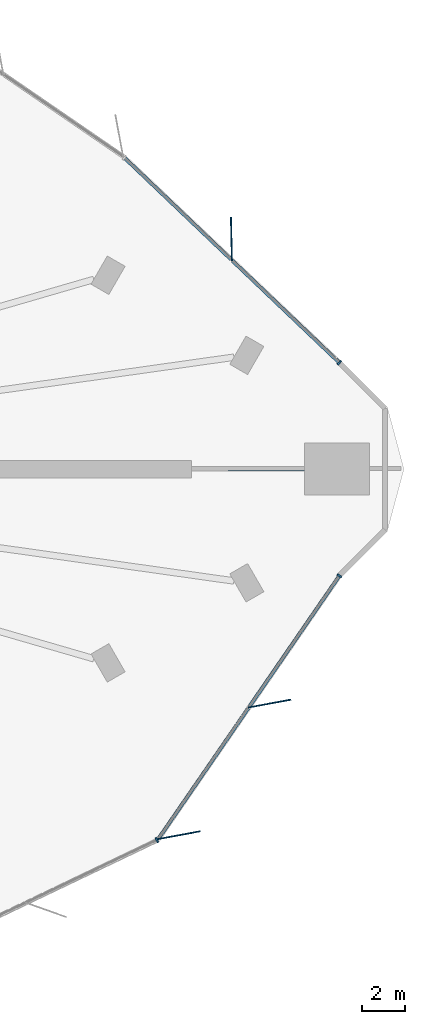
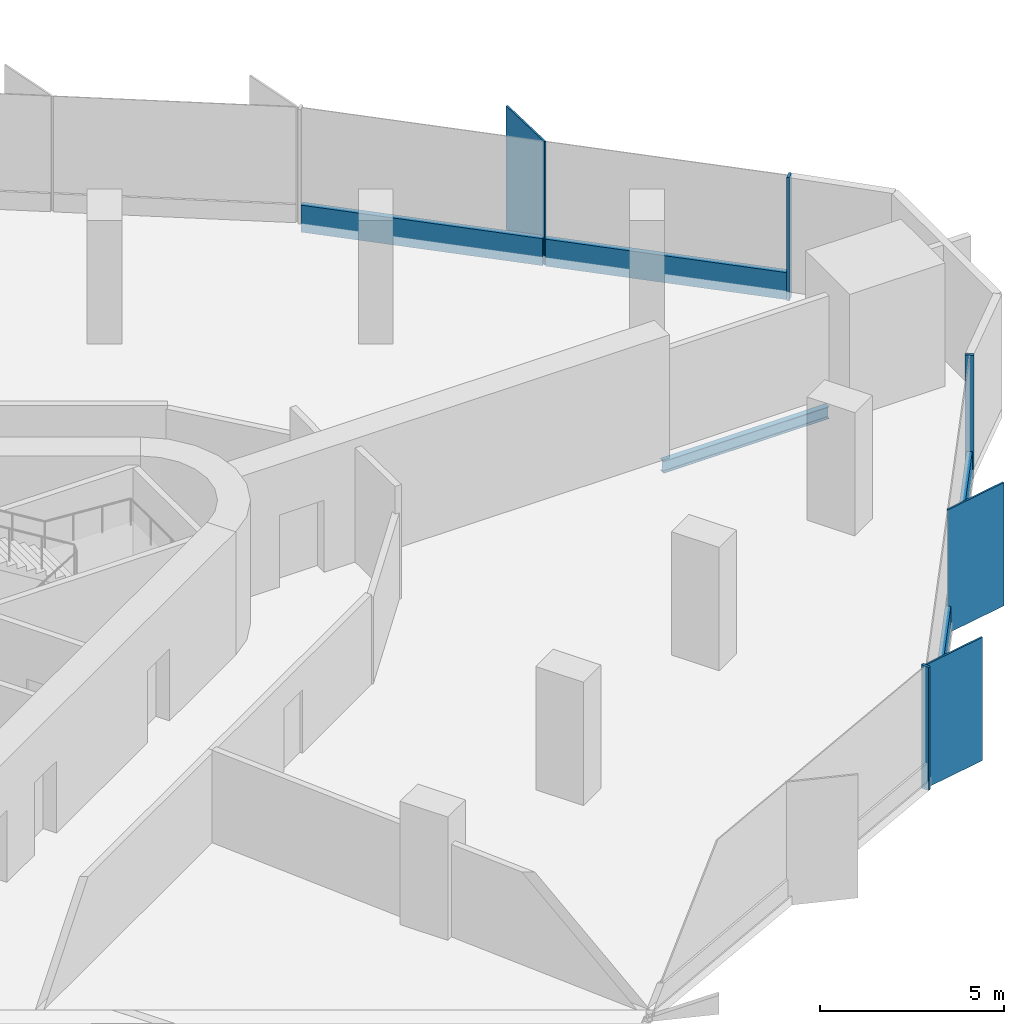
# One storey, part 6 of 14: 10 members, 1 beam, 3 elements without a shape of their own.
"""IFC4 building model written with IfcOpenShell, lengths in metres."""

from ifc_helpers import new_model, si_unit, direction, frame, origin, origin_2d, place, context, subcontext, project, spatial, rectangle, i_section, extrude, material, material_profile, profile_set, type_object, element, aggregate, save


model = new_model("IFC4")

# Units and contexts
model_context = context("Model", 3, precision=1e-05, world=origin(), true_north=direction((0.0, 1.0)))
body_context = subcontext(model_context, "Body", "Model", "MODEL_VIEW")
ifc_project = project(units=[si_unit("LENGTHUNIT", "METRE"), si_unit("AREAUNIT", "SQUARE_METRE"), si_unit("VOLUMEUNIT", "CUBIC_METRE"), si_unit("PLANEANGLEUNIT", "RADIAN"), si_unit("MASSUNIT", "GRAM", prefix="KILO")], contexts=[model_context])

# Site, building, storey
site_placement = place(None, origin())
site = spatial("IfcSite", under=ifc_project, at=site_placement, CompositionType="ELEMENT")
building_placement = place(site_placement, origin())
building = spatial("IfcBuilding", under=site, at=building_placement, Name="Tanit Gate Tower", CompositionType="ELEMENT")
storey_placement = place(building_placement, frame((0.0, 0.0, 86.5)))
storey = spatial("IfcBuildingStorey", under=building, at=storey_placement, Name="L17", CompositionType="ELEMENT", Elevation=86.5)

# Curtain wall, member
ifc_material_1 = material(Name="Aluminium bronze anodised and glass", Category="aluminium")
curtain_wall_type = type_object("IfcCurtainWallType", Name="Curtain wall typical low", PredefinedType="NOTDEFINED", material=ifc_material_1)
curtain_wall_1_placement = place(storey_placement, origin())
curtain_wall_1 = element("IfcCurtainWall", 1, at=curtain_wall_1_placement, inside=storey, type_object=curtain_wall_type, Name="Curtain wall L17 NE1", PredefinedType="NOTDEFINED")
ifc_material_2 = material(Name="Aluminium bronze anodised", Category="aluminium")
ifc_material_profile_1 = material_profile(ifc_material_2, rectangle(XDim=2.0, YDim=0.055908203125, at=origin_2d()), Name="56x2000 bronze fin mullion")
ifc_profile_set_1 = profile_set([ifc_material_profile_1], Name="Aluminium bronze anodised")
member_type_1 = type_object("IfcMemberType", Name="FIN MULLION 56x2000 bronze", PredefinedType="MULLION", material=ifc_profile_set_1)
member_1_placement = place(storey_placement, frame((36.457275390625, 10.611083984375, -0.300048828125), z_axis=(0.0, 0.0, 1.0), x_axis=(0.023942380676, -0.999713340117, 0.0)))
member_1 = element("IfcMember", 2, at=member_1_placement, type_object=member_type_1, Name="Fin mullion L17 NE1.2", PredefinedType="MULLION", context=body_context, shape_type="SweptSolid", body=[
    extrude(rectangle(XDim=2.0, YDim=0.055908203125, at=origin_2d()), origin(), (0.0, 0.0, 1.0), 4.10009765625),
])

# Curtain wall, members
curtain_wall_2_placement = place(storey_placement, origin())
curtain_wall_2 = element("IfcCurtainWall", 3, at=curtain_wall_2_placement, inside=storey, type_object=curtain_wall_type, Name="Curtain wall L17 SE3", PredefinedType="NOTDEFINED")
member_2_placement = place(storey_placement, frame((34.039794921875, -16.888916015625, -0.300048828125), z_axis=(0.0, 0.0, 1.0), x_axis=(-0.983361819077, -0.181657735267, 0.0)))
member_2 = element("IfcMember", 4, at=member_2_placement, type_object=member_type_1, Name="Fin mullion L17 SE3.1", PredefinedType="MULLION", context=body_context, shape_type="SweptSolid", body=[
    extrude(rectangle(XDim=2.0, YDim=0.055908203125, at=origin_2d()), origin(), (0.0, 0.0, 1.0), 4.10009765625),
])
member_3_placement = place(storey_placement, frame((38.21826171875, -10.817138671875, -0.300048828125), z_axis=(0.0, 0.0, 1.0), x_axis=(-0.983361819077, -0.181657735267, 0.0)))
member_3 = element("IfcMember", 5, at=member_3_placement, type_object=member_type_1, Name="Fin mullion L17 SE3.2", PredefinedType="MULLION", context=body_context, shape_type="SweptSolid", body=[
    extrude(rectangle(XDim=2.0, YDim=0.055908203125, at=origin_2d()), origin(), (0.0, 0.0, 1.0), 4.10009765625),
])

# Member
ifc_material_3 = material(Name="Aluminium bronze anodised", Category="aluminium")
ifc_material_profile_2 = material_profile(ifc_material_3, rectangle(XDim=0.239990234375, YDim=0.080078125, at=origin_2d()), Name="80x240 bronze mullion")
ifc_profile_set_2 = profile_set([ifc_material_profile_2], Name="Aluminium bronze anodised")
member_type_2 = type_object("IfcMemberType", Name="Mullion 80x240 typical low", PredefinedType="MULLION", material=ifc_profile_set_2)
member_4_placement = place(storey_placement, frame((41.43798828125, 4.90869140625, -0.300048828125), z_axis=(0.0, 0.0, 1.0), x_axis=(-0.689974262306, -0.723833901773, 0.0)))
member_4 = element("IfcMember", 6, at=member_4_placement, type_object=member_type_2, Name="Mullion L17 NE1.1", PredefinedType="MULLION", context=body_context, shape_type="SweptSolid", body=[
    extrude(rectangle(XDim=0.239990234375, YDim=0.080078125, at=origin_2d()), origin(), (0.0, 0.0, 1.0), 4.10009765625),
])

# Curtain wall, member
curtain_wall_3_placement = place(storey_placement, origin())
curtain_wall_3 = element("IfcCurtainWall", 7, at=curtain_wall_3_placement, inside=storey, type_object=curtain_wall_type, Name="Curtain wall L17 SE2", PredefinedType="NOTDEFINED")
member_5_placement = place(storey_placement, frame((33.02001953125, -17.11669921875, -0.300048828125), z_axis=(0.0, 0.0, 1.0), x_axis=(-0.431197182029, 0.902257718288, 0.0)))
member_5 = element("IfcMember", 8, at=member_5_placement, type_object=member_type_2, Name="Mullion L17 SE2.7", PredefinedType="MULLION", context=body_context, shape_type="SweptSolid", body=[
    extrude(rectangle(XDim=0.239990234375, YDim=0.080078125, at=origin_2d()), origin(), (0.0, 0.0, 1.0), 4.10009765625),
])
aggregate(curtain_wall_3, [member_5])

# Member
member_6_placement = place(storey_placement, frame((41.435546875, -4.9228515625, -0.300048828125), z_axis=(0.0, 0.0, 1.0), x_axis=(-0.823793227091, 0.566890394167, 0.0)))
member_6 = element("IfcMember", 9, at=member_6_placement, type_object=member_type_2, Name="Mullion L17 SE3.3", PredefinedType="MULLION", context=body_context, shape_type="SweptSolid", body=[
    extrude(rectangle(XDim=0.239990234375, YDim=0.080078125, at=origin_2d()), origin(), (0.0, 0.0, 1.0), 4.10009765625),
])

# Beam
ifc_material_4 = material(Name="Steel S355", Category="steel")
ifc_material_profile_3 = material_profile(ifc_material_4, i_section(OverallWidth=0.179931640625, OverallDepth=0.39990234375, WebThickness=0.008544921875, FlangeThickness=0.013427734375, FilletRadius=0.02099609375, at=origin_2d()), Name="IPE 400")
ifc_profile_set_3 = profile_set([ifc_material_profile_3], Name="Steel S355")
beam_type = type_object("IfcBeamType", Name="RADIAL GIRDER IPE 400 S355", PredefinedType="BEAM", material=ifc_profile_set_3)
beam_placement = place(storey_placement, frame((39.818359375, 0.0, -0.5), z_axis=(-1.0, 0.0, 0.0), x_axis=(0.0, -1.0, 0.0)))
element("IfcBeam", 10, at=beam_placement, inside=storey, type_object=beam_type, Name="RADIAL GIRDER", PredefinedType="BEAM", context=body_context, shape_type="SweptSolid", body=[
    extrude(i_section(OverallWidth=0.179931640625, OverallDepth=0.39990234375, WebThickness=0.008544921875, FlangeThickness=0.013427734375, FilletRadius=0.02099609375, at=origin_2d()), origin(), (0.0, 0.0, 1.0), 5.213134765625),
])

# Member
ifc_material_5 = material(Name="Aluminium bronze anodised", Category="aluminium")
ifc_material_profile_4 = material_profile(ifc_material_5, rectangle(XDim=0.159912109375, YDim=0.89990234375, at=origin_2d()), Name="160x900 bronze transom")
ifc_profile_set_4 = profile_set([ifc_material_profile_4], Name="Aluminium bronze anodised")
member_type_3 = type_object("IfcMemberType", Name="Transom 160x900 typical low", PredefinedType="USERDEFINED", material=ifc_profile_set_4)
member_7_placement = place(storey_placement, frame((41.408935546875, 4.936279296875, 0.14990234375), z_axis=(-0.723838500577, 0.689969437789, 0.0), x_axis=(-0.689969437789, -0.723838500577, 0.0)))
member_7 = element("IfcMember", 11, at=member_7_placement, type_object=member_type_3, Name="Transom L17 NE1.1", ObjectType="TRANSOM", PredefinedType="USERDEFINED", context=body_context, shape_type="SweptSolid", body=[
    extrude(rectangle(XDim=0.159912109375, YDim=0.89990234375, at=origin_2d()), origin(), (0.0, 0.0, 1.0), 6.7685546875),
])

member_8_placement = place(storey_placement, frame((36.45166015625, 9.66162109375, 0.14990234375), z_axis=(-0.723838500577, 0.689969437789, 0.0), x_axis=(-0.689969437789, -0.723838500577, 0.0)))
member_8 = element("IfcMember", 12, at=member_8_placement, type_object=member_type_3, Name="Transom L17 NE1.2", ObjectType="TRANSOM", PredefinedType="USERDEFINED", context=body_context, shape_type="SweptSolid", body=[
    extrude(rectangle(XDim=0.159912109375, YDim=0.89990234375, at=origin_2d()), origin(), (0.0, 0.0, 1.0), 6.7685546875),
])

aggregate(curtain_wall_1, [member_4, member_1, member_7, member_8])

member_9_placement = place(storey_placement, frame((33.101318359375, -17.033447265625, 0.14990234375), z_axis=(0.566903962364, 0.82378389002, 0.0), x_axis=(-0.82378389002, 0.566903962364, 0.0)))
member_9 = element("IfcMember", 13, at=member_9_placement, type_object=member_type_3, Name="Transom L17 SE3.1", ObjectType="TRANSOM", PredefinedType="USERDEFINED", context=body_context, shape_type="SweptSolid", body=[
    extrude(rectangle(XDim=0.159912109375, YDim=0.89990234375, at=origin_2d()), origin(), (0.0, 0.0, 1.0), 7.29052734375),
])

member_10_placement = place(storey_placement, frame((37.27978515625, -10.961669921875, 0.14990234375), z_axis=(0.566888323981, 0.823794651678, 0.0), x_axis=(-0.823794651678, 0.566888323981, 0.0)))
member_10 = element("IfcMember", 14, at=member_10_placement, type_object=member_type_3, Name="Transom L17 SE3.2", ObjectType="TRANSOM", PredefinedType="USERDEFINED", context=body_context, shape_type="SweptSolid", body=[
    extrude(rectangle(XDim=0.159912109375, YDim=0.89990234375, at=origin_2d()), origin(), (0.0, 0.0, 1.0), 7.290771484375),
])

aggregate(curtain_wall_2, [member_2, member_3, member_6, member_9, member_10])

save(model, "model.ifc")
